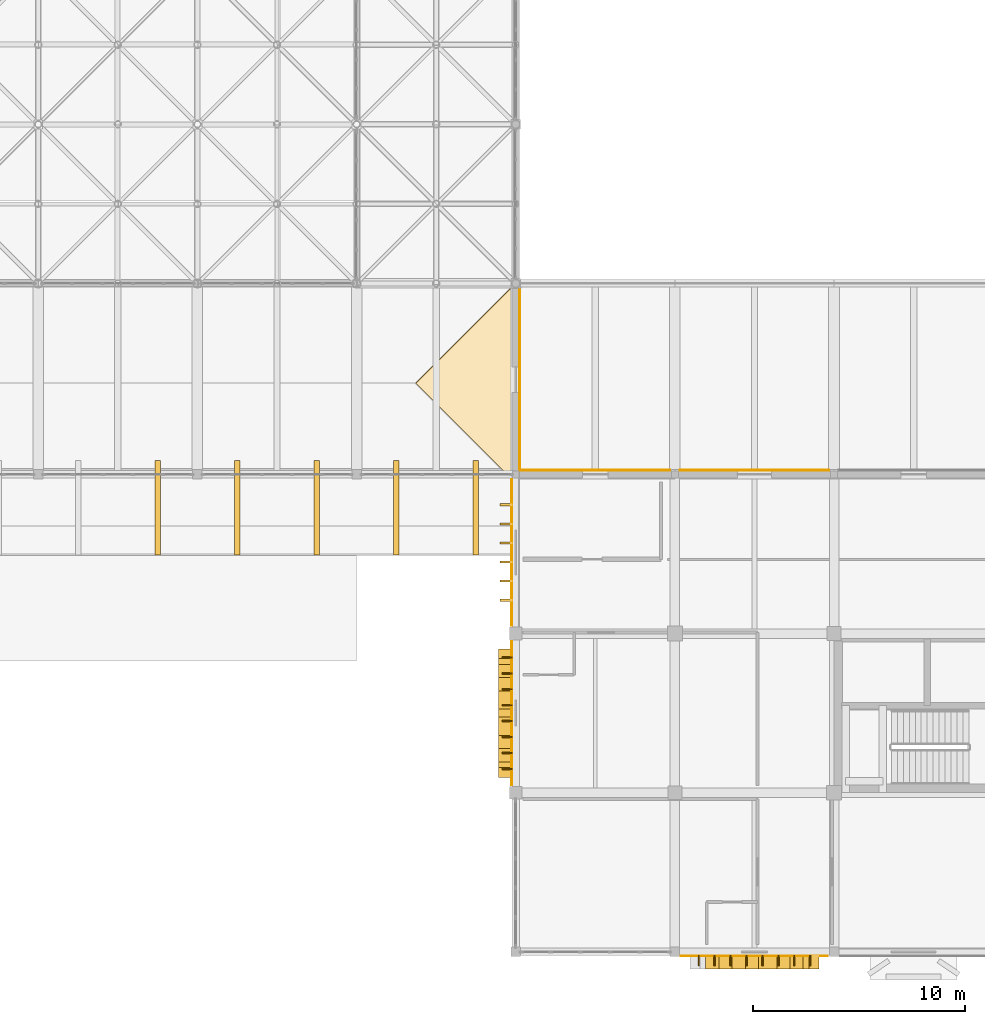
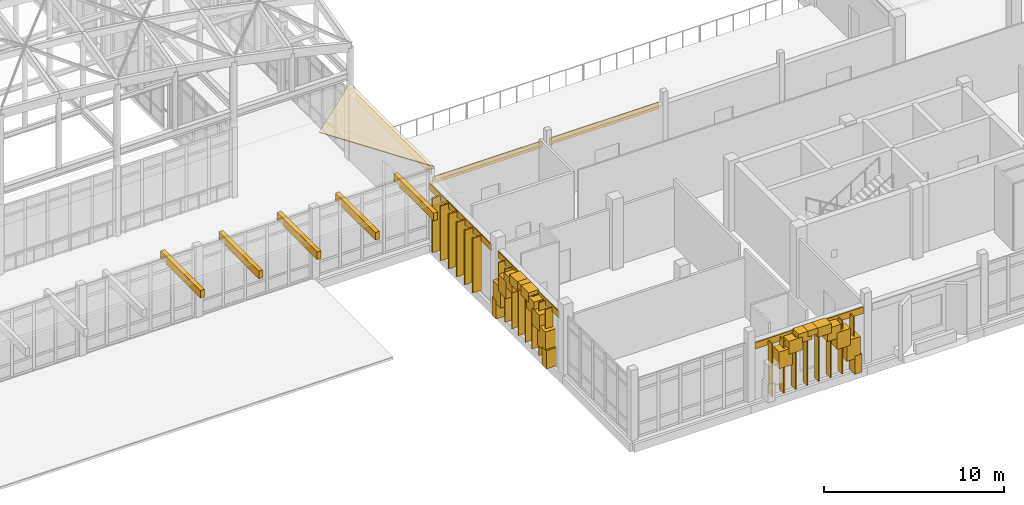
# One storey, part 117 of 131: 38 coverings, 16 shading devices.
"""IFC4 building model written with IfcOpenShell, lengths in metres."""

from ifc_helpers import new_model, si_unit, direction, frame, origin, origin_2d, place, context, subcontext, project, spatial, polyline, rectangle, outline, extrude, material, layer, layer_set, type_object, element, save


model = new_model("IFC4")

# Units and contexts
model_context = context("Model", 3, precision=1e-05, world=origin(), true_north=direction((0.0, 1.0)))
body_context = subcontext(model_context, "Body", "Model", "MODEL_VIEW")
ifc_project = project(units=[si_unit("LENGTHUNIT", "METRE"), si_unit("AREAUNIT", "SQUARE_METRE"), si_unit("VOLUMEUNIT", "CUBIC_METRE"), si_unit("PLANEANGLEUNIT", "RADIAN"), si_unit("MASSUNIT", "GRAM", prefix="KILO")], contexts=[model_context])

# Site, building, storey
site_placement = place(None, origin())
site = spatial("IfcSite", under=ifc_project, at=site_placement, CompositionType="ELEMENT")
building_placement = place(site_placement, origin())
building = spatial("IfcBuilding", under=site, at=building_placement, Name="Dalvernix Boulevard General Hospital", CompositionType="ELEMENT")
storey_placement = place(building_placement, frame((0.0, 0.0, 9.300048828125)))
storey = spatial("IfcBuildingStorey", under=building, at=storey_placement, Name="L02", CompositionType="ELEMENT", Elevation=9.300048828125)

# Coverings
ifc_material_1 = material(Name="Pressed Catalan clay brick and dressed limestone parabolic archivolt", Category="masonry")
ifc_layer_1 = layer(ifc_material_1, 0.419921875)
ifc_layer_set_1 = layer_set([ifc_layer_1], Name="Pressed Catalan clay brick and dressed limestone parabolic archivolt (COV-ARC-01)")
covering_type_1 = type_object("IfcCoveringType", Name="COV-ARC-01", PredefinedType="CLADDING", material=ifc_layer_set_1)
for number, where, z_axis, x_axis, name in (
    (1, (112.014892578125, 8.449951171875, 0.0), (0.0, 0.0, 1.0), (0.0, 1.0, 0.0), "L02 Catalan parabolic arch impost pier W 15-1-L"),
    (2, (112.014892578125, 14.050048828125, 0.0), (0.0, 0.0, 1.0), (0.0, 1.0, 0.0), "L02 Catalan parabolic arch impost pier W 15-1-R"),
):
    element("IfcCovering", number, at=place(storey_placement, frame(where, z_axis=z_axis, x_axis=x_axis)), inside=storey, type_object=covering_type_1, Name=name, PredefinedType="CLADDING", context=body_context, shape_type="SweptSolid", body=[
        extrude(rectangle(XDim=0.4599609375, YDim=0.659912109375, at=origin_2d()), origin(), (0.0, 0.0, 1.0), 1.25),
    ])
covering_1_placement = place(storey_placement, frame((112.014892578125, 8.760986328125, 1.059814453125), z_axis=(0.0, 0.0, 1.0), x_axis=(0.0, 1.0, 0.0)))
element("IfcCovering", 3, at=covering_1_placement, inside=storey, type_object=covering_type_1, Name="L02 Catalan parabolic archivolt voussoir W 15-1-1", PredefinedType="CLADDING", context=body_context, shape_type="SweptSolid", body=[
    extrude(rectangle(XDim=0.8623046875, YDim=0.659912109375, at=origin_2d()), origin(), (0.0, 0.0, 1.0), 1.3994140625),
])
covering_2_placement = place(storey_placement, frame((112.014892578125, 9.38330078125, 2.0791015625), z_axis=(0.0, 0.0, 1.0), x_axis=(0.0, 1.0, 0.0)))
element("IfcCovering", 4, at=covering_2_placement, inside=storey, type_object=covering_type_1, Name="L02 Catalan parabolic archivolt voussoir W 15-1-2", PredefinedType="CLADDING", context=body_context, shape_type="SweptSolid", body=[
    extrude(rectangle(XDim=0.8623046875, YDim=0.659912109375, at=origin_2d()), origin(), (0.0, 0.0, 1.0), 1.144287109375),
])
covering_3_placement = place(storey_placement, frame((112.014892578125, 10.005615234375, 2.843505859375), z_axis=(0.0, 0.0, 1.0), x_axis=(0.0, 1.0, 0.0)))
element("IfcCovering", 5, at=covering_3_placement, inside=storey, type_object=covering_type_1, Name="L02 Catalan parabolic archivolt voussoir W 15-1-3", PredefinedType="CLADDING", context=body_context, shape_type="SweptSolid", body=[
    extrude(rectangle(XDim=0.8623046875, YDim=0.659912109375, at=origin_2d()), origin(), (0.0, 0.0, 1.0), 0.8896484375),
])
covering_4_placement = place(storey_placement, frame((112.014892578125, 10.627685546875, 3.353271484375), z_axis=(0.0, 0.0, 1.0), x_axis=(0.0, 1.0, 0.0)))
element("IfcCovering", 6, at=covering_4_placement, inside=storey, type_object=covering_type_1, Name="L02 Catalan parabolic archivolt voussoir W 15-1-4", PredefinedType="CLADDING", context=body_context, shape_type="SweptSolid", body=[
    extrude(rectangle(XDim=0.8623046875, YDim=0.659912109375, at=origin_2d()), origin(), (0.0, 0.0, 1.0), 0.634765625),
])
covering_5_placement = place(storey_placement, frame((112.014892578125, 11.25, 3.608154296875), z_axis=(0.0, 0.0, 1.0), x_axis=(0.0, 1.0, 0.0)))
element("IfcCovering", 7, at=covering_5_placement, inside=storey, type_object=covering_type_1, Name="L02 Catalan parabolic archivolt voussoir W 15-1-5", PredefinedType="CLADDING", context=body_context, shape_type="SweptSolid", body=[
    extrude(rectangle(XDim=0.8623046875, YDim=0.659912109375, at=origin_2d()), origin(), (0.0, 0.0, 1.0), 0.3798828125),
])
covering_6_placement = place(storey_placement, frame((112.014892578125, 11.872314453125, 3.353271484375), z_axis=(0.0, 0.0, 1.0), x_axis=(0.0, 1.0, 0.0)))
element("IfcCovering", 8, at=covering_6_placement, inside=storey, type_object=covering_type_1, Name="L02 Catalan parabolic archivolt voussoir W 15-1-6", PredefinedType="CLADDING", context=body_context, shape_type="SweptSolid", body=[
    extrude(rectangle(XDim=0.8623046875, YDim=0.659912109375, at=origin_2d()), origin(), (0.0, 0.0, 1.0), 0.634765625),
])
covering_7_placement = place(storey_placement, frame((112.014892578125, 12.494384765625, 2.843505859375), z_axis=(0.0, 0.0, 1.0), x_axis=(0.0, 1.0, 0.0)))
element("IfcCovering", 9, at=covering_7_placement, inside=storey, type_object=covering_type_1, Name="L02 Catalan parabolic archivolt voussoir W 15-1-7", PredefinedType="CLADDING", context=body_context, shape_type="SweptSolid", body=[
    extrude(rectangle(XDim=0.8623046875, YDim=0.659912109375, at=origin_2d()), origin(), (0.0, 0.0, 1.0), 0.8896484375),
])
covering_8_placement = place(storey_placement, frame((112.014892578125, 13.11669921875, 2.0791015625), z_axis=(0.0, 0.0, 1.0), x_axis=(0.0, 1.0, 0.0)))
element("IfcCovering", 10, at=covering_8_placement, inside=storey, type_object=covering_type_1, Name="L02 Catalan parabolic archivolt voussoir W 15-1-8", PredefinedType="CLADDING", context=body_context, shape_type="SweptSolid", body=[
    extrude(rectangle(XDim=0.8623046875, YDim=0.659912109375, at=origin_2d()), origin(), (0.0, 0.0, 1.0), 1.144287109375),
])
covering_9_placement = place(storey_placement, frame((112.014892578125, 13.739013671875, 1.059814453125), z_axis=(0.0, 0.0, 1.0), x_axis=(0.0, 1.0, 0.0)))
element("IfcCovering", 11, at=covering_9_placement, inside=storey, type_object=covering_type_1, Name="L02 Catalan parabolic archivolt voussoir W 15-1-9", PredefinedType="CLADDING", context=body_context, shape_type="SweptSolid", body=[
    extrude(rectangle(XDim=0.8623046875, YDim=0.659912109375, at=origin_2d()), origin(), (0.0, 0.0, 1.0), 1.3994140625),
])
covering_10_placement = place(storey_placement, frame((126.550048828125, -0.485107421875, 0.0), z_axis=(0.0, 0.0, 1.0), x_axis=(-1.0, 0.0, 0.0)))
element("IfcCovering", 12, at=covering_10_placement, inside=storey, type_object=covering_type_1, Name="L02 Catalan parabolic arch impost pier S 16-0-L", PredefinedType="CLADDING", context=body_context, shape_type="SweptSolid", body=[
    extrude(rectangle(XDim=0.4599609375, YDim=0.659912109375, at=origin_2d()), origin(), (0.0, 0.0, 1.0), 1.25),
])
covering_11_placement = place(storey_placement, frame((126.239013671875, -0.485107421875, 1.059814453125), z_axis=(0.0, 0.0, 1.0), x_axis=(-1.0, 0.0, 0.0)))
element("IfcCovering", 13, at=covering_11_placement, inside=storey, type_object=covering_type_1, Name="L02 Catalan parabolic archivolt voussoir S 16-0-1", PredefinedType="CLADDING", context=body_context, shape_type="SweptSolid", body=[
    extrude(rectangle(XDim=0.8623046875, YDim=0.659912109375, at=origin_2d()), origin(), (0.0, 0.0, 1.0), 1.3994140625),
])
covering_12_placement = place(storey_placement, frame((125.61669921875, -0.485107421875, 2.0791015625), z_axis=(0.0, 0.0, 1.0), x_axis=(-1.0, 0.0, 0.0)))
element("IfcCovering", 14, at=covering_12_placement, inside=storey, type_object=covering_type_1, Name="L02 Catalan parabolic archivolt voussoir S 16-0-2", PredefinedType="CLADDING", context=body_context, shape_type="SweptSolid", body=[
    extrude(rectangle(XDim=0.8623046875, YDim=0.659912109375, at=origin_2d()), origin(), (0.0, 0.0, 1.0), 1.144287109375),
])
covering_13_placement = place(storey_placement, frame((124.994384765625, -0.485107421875, 2.843505859375), z_axis=(0.0, 0.0, 1.0), x_axis=(-1.0, 0.0, 0.0)))
element("IfcCovering", 15, at=covering_13_placement, inside=storey, type_object=covering_type_1, Name="L02 Catalan parabolic archivolt voussoir S 16-0-3", PredefinedType="CLADDING", context=body_context, shape_type="SweptSolid", body=[
    extrude(rectangle(XDim=0.8623046875, YDim=0.659912109375, at=origin_2d()), origin(), (0.0, 0.0, 1.0), 0.8896484375),
])
covering_14_placement = place(storey_placement, frame((124.372314453125, -0.485107421875, 3.353271484375), z_axis=(0.0, 0.0, 1.0), x_axis=(-1.0, 0.0, 0.0)))
element("IfcCovering", 16, at=covering_14_placement, inside=storey, type_object=covering_type_1, Name="L02 Catalan parabolic archivolt voussoir S 16-0-4", PredefinedType="CLADDING", context=body_context, shape_type="SweptSolid", body=[
    extrude(rectangle(XDim=0.8623046875, YDim=0.659912109375, at=origin_2d()), origin(), (0.0, 0.0, 1.0), 0.634765625),
])
covering_15_placement = place(storey_placement, frame((123.75, -0.485107421875, 3.608154296875), z_axis=(0.0, 0.0, 1.0), x_axis=(-1.0, 0.0, 0.0)))
element("IfcCovering", 17, at=covering_15_placement, inside=storey, type_object=covering_type_1, Name="L02 Catalan parabolic archivolt voussoir S 16-0-5", PredefinedType="CLADDING", context=body_context, shape_type="SweptSolid", body=[
    extrude(rectangle(XDim=0.8623046875, YDim=0.659912109375, at=origin_2d()), origin(), (0.0, 0.0, 1.0), 0.3798828125),
])
covering_16_placement = place(storey_placement, frame((123.127685546875, -0.485107421875, 3.353271484375), z_axis=(0.0, 0.0, 1.0), x_axis=(-1.0, 0.0, 0.0)))
element("IfcCovering", 18, at=covering_16_placement, inside=storey, type_object=covering_type_1, Name="L02 Catalan parabolic archivolt voussoir S 16-0-6", PredefinedType="CLADDING", context=body_context, shape_type="SweptSolid", body=[
    extrude(rectangle(XDim=0.8623046875, YDim=0.659912109375, at=origin_2d()), origin(), (0.0, 0.0, 1.0), 0.634765625),
])
covering_17_placement = place(storey_placement, frame((122.505615234375, -0.485107421875, 2.843505859375), z_axis=(0.0, 0.0, 1.0), x_axis=(-1.0, 0.0, 0.0)))
element("IfcCovering", 19, at=covering_17_placement, inside=storey, type_object=covering_type_1, Name="L02 Catalan parabolic archivolt voussoir S 16-0-7", PredefinedType="CLADDING", context=body_context, shape_type="SweptSolid", body=[
    extrude(rectangle(XDim=0.8623046875, YDim=0.659912109375, at=origin_2d()), origin(), (0.0, 0.0, 1.0), 0.8896484375),
])
covering_18_placement = place(storey_placement, frame((121.88330078125, -0.485107421875, 2.0791015625), z_axis=(0.0, 0.0, 1.0), x_axis=(-1.0, 0.0, 0.0)))
element("IfcCovering", 20, at=covering_18_placement, inside=storey, type_object=covering_type_1, Name="L02 Catalan parabolic archivolt voussoir S 16-0-8", PredefinedType="CLADDING", context=body_context, shape_type="SweptSolid", body=[
    extrude(rectangle(XDim=0.8623046875, YDim=0.659912109375, at=origin_2d()), origin(), (0.0, 0.0, 1.0), 1.144287109375),
])
ifc_material_2 = material(Name="Polychrome Catalan glazed ceramic spandrel tile panel")
ifc_layer_2 = layer(ifc_material_2, 0.044921875)
ifc_layer_set_2 = layer_set([ifc_layer_2], Name="Polychrome Catalan glazed ceramic spandrel tile panel (COV-CLD-01)")
covering_type_2 = type_object("IfcCoveringType", Name="COV-CLD-01", PredefinedType="CLADDING", material=ifc_layer_set_2)
covering_19_placement = place(storey_placement, frame((112.695068359375, 26.967529296875, 4.0751953125), z_axis=(0.0, 0.0, 1.0), x_axis=(0.0, -1.0, 0.0)))
element("IfcCovering", 21, at=covering_19_placement, inside=storey, type_object=covering_type_2, Name="L02 polychrome ceramic spandrel E 15-3", PredefinedType="CLADDING", context=body_context, shape_type="SweptSolid", body=[
    extrude(rectangle(XDim=8.4951171875, YDim=0.044921875, at=origin_2d()), origin(), (0.0, 0.0, 1.0), 0.449951171875),
])
covering_20_placement = place(storey_placement, frame((112.304931640625, 11.25, 3.47509765625), z_axis=(0.0, 0.0, 1.0), x_axis=(0.0, 1.0, 0.0)))
element("IfcCovering", 22, at=covering_20_placement, inside=storey, type_object=covering_type_2, Name="L02 polychrome ceramic spandrel W 15-1", PredefinedType="CLADDING", context=body_context, shape_type="SweptSolid", body=[
    extrude(rectangle(XDim=6.780029296875, YDim=0.044921875, at=origin_2d()), origin(), (0.0, 0.0, 1.0), 0.449951171875),
])
covering_21_placement = place(storey_placement, frame((116.25, 22.695068359375, 3.47509765625), z_axis=(0.0, 0.0, 1.0), x_axis=(1.0, 0.0, 0.0)))
element("IfcCovering", 23, at=covering_21_placement, inside=storey, type_object=covering_type_2, Name="L02 polychrome ceramic spandrel N 15-3", PredefinedType="CLADDING", context=body_context, shape_type="SweptSolid", body=[
    extrude(rectangle(XDim=7.06005859375, YDim=0.044921875, at=origin_2d()), origin(), (0.0, 0.0, 1.0), 0.449951171875),
])
covering_22_placement = place(storey_placement, frame((112.304931640625, 18.820068359375, 3.47509765625), z_axis=(0.0, 0.0, 1.0), x_axis=(0.0, 1.0, 0.0)))
element("IfcCovering", 24, at=covering_22_placement, inside=storey, type_object=covering_type_2, Name="L02 polychrome ceramic spandrel W 15-2", PredefinedType="CLADDING", context=body_context, shape_type="SweptSolid", body=[
    extrude(rectangle(XDim=6.919921875, YDim=0.044921875, at=origin_2d()), origin(), (0.0, 0.0, 1.0), 0.449951171875),
])
covering_23_placement = place(storey_placement, frame((123.75, -0.195068359375, 3.47509765625), z_axis=(0.0, 0.0, 1.0), x_axis=(-1.0, 0.0, 0.0)))
element("IfcCovering", 25, at=covering_23_placement, inside=storey, type_object=covering_type_2, Name="L02 polychrome ceramic spandrel S 16-0", PredefinedType="CLADDING", context=body_context, shape_type="SweptSolid", body=[
    extrude(rectangle(XDim=6.929931640625, YDim=0.044921875, at=origin_2d()), origin(), (0.0, 0.0, 1.0), 0.449951171875),
])
covering_24_placement = place(storey_placement, frame((123.75, 22.695068359375, 3.47509765625), z_axis=(0.0, 0.0, 1.0), x_axis=(1.0, 0.0, 0.0)))
element("IfcCovering", 26, at=covering_24_placement, inside=storey, type_object=covering_type_2, Name="L02 polychrome ceramic spandrel N 16-3", PredefinedType="CLADDING", context=body_context, shape_type="SweptSolid", body=[
    extrude(rectangle(XDim=7.06005859375, YDim=0.044921875, at=origin_2d()), origin(), (0.0, 0.0, 1.0), 0.449951171875),
])
ifc_material_3 = material(Name="Terracotta-clad iroko timber brise-soleil sun-breaker fin", Category="masonry")
ifc_layer_3 = layer(ifc_material_3, 0.10009765625)
ifc_layer_set_3 = layer_set([ifc_layer_3], Name="Terracotta-clad iroko timber brise-soleil sun-breaker fin (COV-FIN-02)")
covering_type_3 = type_object("IfcCoveringType", Name="COV-FIN-02", PredefinedType="CLADDING", material=ifc_layer_set_3)
for number, where, z_axis, x_axis, name in (
    (27, (112.054931640625, 16.570068359375, 0.119873046875), (0.0, 0.0, 1.0), (0.0, 1.0, 0.0), "L02 terracotta brise-soleil fin W 15-2-1"),
    (28, (112.054931640625, 17.469970703125, 0.119873046875), (0.0, 0.0, 1.0), (0.0, 1.0, 0.0), "L02 terracotta brise-soleil fin W 15-2-2"),
    (29, (112.054931640625, 18.3701171875, 0.119873046875), (0.0, 0.0, 1.0), (0.0, 1.0, 0.0), "L02 terracotta brise-soleil fin W 15-2-3"),
    (30, (112.054931640625, 19.27001953125, 0.119873046875), (0.0, 0.0, 1.0), (0.0, 1.0, 0.0), "L02 terracotta brise-soleil fin W 15-2-4"),
    (31, (112.054931640625, 20.169921875, 0.119873046875), (0.0, 0.0, 1.0), (0.0, 1.0, 0.0), "L02 terracotta brise-soleil fin W 15-2-5"),
    (32, (112.054931640625, 21.070068359375, 0.119873046875), (0.0, 0.0, 1.0), (0.0, 1.0, 0.0), "L02 terracotta brise-soleil fin W 15-2-6"),
):
    element("IfcCovering", number, at=place(storey_placement, frame(where, z_axis=z_axis, x_axis=x_axis)), inside=storey, type_object=covering_type_3, Name=name, PredefinedType="CLADDING", context=body_context, shape_type="SweptSolid", body=[
        extrude(rectangle(XDim=0.10009765625, YDim=0.580078125, at=origin_2d()), origin(), (0.0, 0.0, 1.0), 3.7099609375),
    ])
ifc_material_4 = material(Name="Preservative-treated glulam GL28h eave outlooker corbel bracket", Category="wood")
ifc_layer_4 = layer(ifc_material_4, 0.239990234375)
ifc_layer_set_4 = layer_set([ifc_layer_4], Name="Preservative-treated glulam GL28h eave outlooker corbel bracket (COV-OUTLOOK-01)")
covering_type_4 = type_object("IfcCoveringType", Name="COV-OUTLOOK-01", PredefinedType="CLADDING", material=ifc_layer_set_4)
for number, where, z_axis, x_axis, name in (
    (33, (95.625, 20.925048828125, 4.139892578125), (0.0, 0.0, 1.0), (1.0, 0.0, 0.0), "V1S glulam eave outlooker corbel S-10"),
    (34, (99.375, 20.925048828125, 4.139892578125), (0.0, 0.0, 1.0), (1.0, 0.0, 0.0), "V1S glulam eave outlooker corbel S-11"),
    (35, (103.125, 20.925048828125, 4.139892578125), (0.0, 0.0, 1.0), (1.0, 0.0, 0.0), "V1S glulam eave outlooker corbel S-12"),
    (36, (106.875, 20.925048828125, 4.139892578125), (0.0, 0.0, 1.0), (1.0, 0.0, 0.0), "V1S glulam eave outlooker corbel S-13"),
    (37, (110.625, 20.925048828125, 4.139892578125), (0.0, 0.0, 1.0), (1.0, 0.0, 0.0), "V1S glulam eave outlooker corbel S-14"),
):
    element("IfcCovering", number, at=place(storey_placement, frame(where, z_axis=z_axis, x_axis=x_axis)), inside=storey, type_object=covering_type_4, Name=name, PredefinedType="CLADDING", context=body_context, shape_type="SweptSolid", body=[
        extrude(rectangle(XDim=0.260009765625, YDim=4.449951171875, at=origin_2d()), origin(), (0.0, 0.0, 1.0), 0.52001953125),
    ])
ifc_material_5 = material(Name="Polychrome Catalan glazed terracotta roof tiles", Category="masonry")
ifc_layer_5 = layer(ifc_material_5, 0.050048828125)
ifc_layer_set_5 = layer_set([ifc_layer_5], Name="Polychrome Catalan glazed terracotta roof tiles (COV-ROOF-01)")
covering_type_5 = type_object("IfcCoveringType", Name="COV-ROOF-01", PredefinedType="ROOFING", material=ifc_layer_set_5)
covering_25_placement = place(storey_placement, frame((112.5, 22.10009765625, 5.070068359375), z_axis=(0.238509711225, 0.0, 0.971140112266), x_axis=(0.0, 1.0, 0.0)))
element("IfcCovering", 38, at=covering_25_placement, inside=storey, type_object=covering_type_5, Name="V1S glazed terracotta tile slope E", PredefinedType="ROOFING", context=body_context, shape_type="SweptSolid", body=[
    extrude(outline(polyline([(0.0, 0.0), (9.39990234375, 0.0), (4.699951171875, 4.839622123021999), (0.0, 0.0)])), origin(), (0.0, 0.0, -1.0), 0.050048828125),
])

# Shading devices
ifc_material_6 = material(Name="Preservative-treated West African iroko timber", Category="wood")
shading_device_type = type_object("IfcShadingDeviceType", Name="SHD-FIN-01", PredefinedType="USERDEFINED", material=ifc_material_6)
for number, where, z_axis, x_axis, name in (
    (39, (112.094970703125, 8.625, 0.1748046875), (0.0, 0.0, 1.0), (0.0, 1.0, 0.0), "L02 iroko brise-soleil fin 1"),
    (40, (112.094970703125, 9.375, 0.1748046875), (0.0, 0.0, 1.0), (0.0, 1.0, 0.0), "L02 iroko brise-soleil fin 2"),
    (41, (112.094970703125, 10.125, 0.1748046875), (0.0, 0.0, 1.0), (0.0, 1.0, 0.0), "L02 iroko brise-soleil fin 3"),
    (42, (112.094970703125, 10.875, 0.1748046875), (0.0, 0.0, 1.0), (0.0, 1.0, 0.0), "L02 iroko brise-soleil fin 4"),
    (43, (112.094970703125, 11.625, 0.1748046875), (0.0, 0.0, 1.0), (0.0, 1.0, 0.0), "L02 iroko brise-soleil fin 5"),
    (44, (112.094970703125, 12.375, 0.1748046875), (0.0, 0.0, 1.0), (0.0, 1.0, 0.0), "L02 iroko brise-soleil fin 6"),
    (45, (112.094970703125, 13.125, 0.1748046875), (0.0, 0.0, 1.0), (0.0, 1.0, 0.0), "L02 iroko brise-soleil fin 7"),
    (46, (112.094970703125, 13.875, 0.1748046875), (0.0, 0.0, 1.0), (0.0, 1.0, 0.0), "L02 iroko brise-soleil fin 8"),
    (47, (126.375, -0.405029296875, 0.1748046875), (0.0, 0.0, 1.0), (-1.0, 0.0, 0.0), "L02 iroko brise-soleil fin 1"),
    (48, (125.625, -0.405029296875, 0.1748046875), (0.0, 0.0, 1.0), (-1.0, 0.0, 0.0), "L02 iroko brise-soleil fin 2"),
    (49, (124.875, -0.405029296875, 0.1748046875), (0.0, 0.0, 1.0), (-1.0, 0.0, 0.0), "L02 iroko brise-soleil fin 3"),
    (50, (124.125, -0.405029296875, 0.1748046875), (0.0, 0.0, 1.0), (-1.0, 0.0, 0.0), "L02 iroko brise-soleil fin 4"),
    (51, (123.375, -0.405029296875, 0.1748046875), (0.0, 0.0, 1.0), (-1.0, 0.0, 0.0), "L02 iroko brise-soleil fin 5"),
    (52, (122.625, -0.405029296875, 0.1748046875), (0.0, 0.0, 1.0), (-1.0, 0.0, 0.0), "L02 iroko brise-soleil fin 6"),
    (53, (121.875, -0.405029296875, 0.1748046875), (0.0, 0.0, 1.0), (-1.0, 0.0, 0.0), "L02 iroko brise-soleil fin 7"),
    (54, (121.125, -0.405029296875, 0.1748046875), (0.0, 0.0, 1.0), (-1.0, 0.0, 0.0), "L02 iroko brise-soleil fin 8"),
):
    element("IfcShadingDevice", number, at=place(storey_placement, frame(where, z_axis=z_axis, x_axis=x_axis)), inside=storey, type_object=shading_device_type, Name=name, ObjectType="FIN", PredefinedType="USERDEFINED", context=body_context, shape_type="SweptSolid", body=[
        extrude(rectangle(XDim=0.06494140625, YDim=0.47998046875, at=origin_2d()), origin(), (0.0, 0.0, 1.0), 3.60009765625),
    ])

save(model, "model.ifc")
